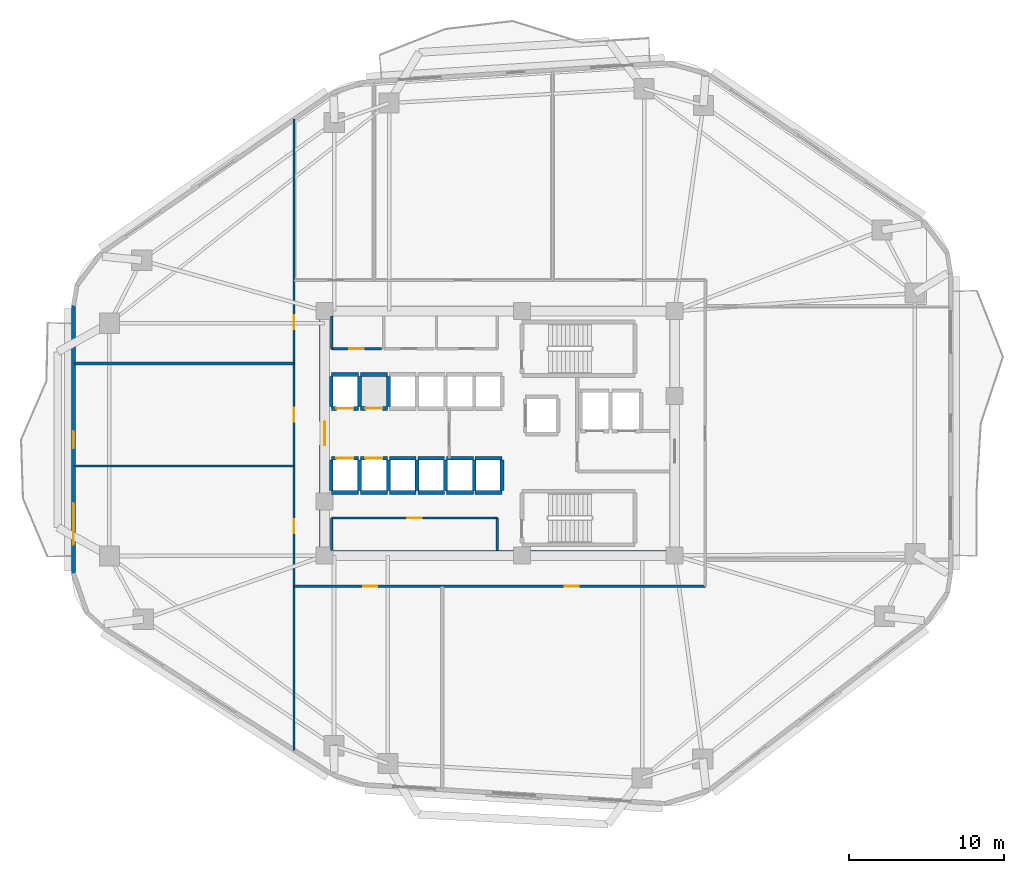
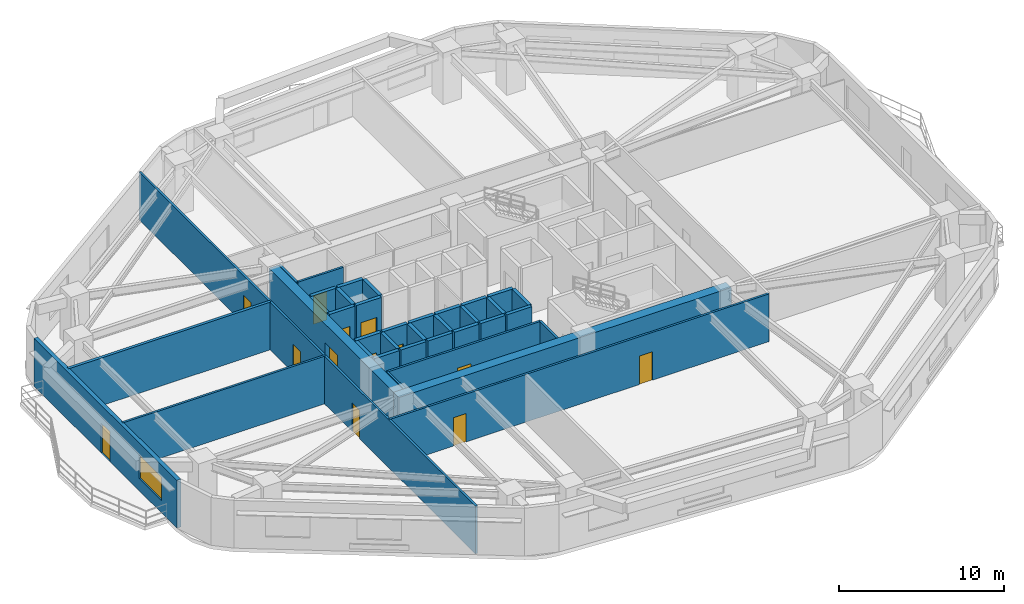
# One storey, part 3 of 10: 38 walls, 13 doors, 1 window, 14 openings.
"""IFC4 building model written with IfcOpenShell, lengths in metres."""

from ifc_helpers import new_model, si_unit, direction, frame, frame_2d, origin, place, context, subcontext, project, spatial, rectangle, extrude, material, layer, layer_set, type_object, element, fill, save


model = new_model("IFC4")

# Units and contexts
model_context = context("Model", 3, precision=1e-05, world=origin(), true_north=direction((0.0, 1.0)))
body_context = subcontext(model_context, "Body", "Model", "MODEL_VIEW")
ifc_project = project(units=[si_unit("LENGTHUNIT", "METRE"), si_unit("AREAUNIT", "SQUARE_METRE"), si_unit("VOLUMEUNIT", "CUBIC_METRE"), si_unit("PLANEANGLEUNIT", "RADIAN"), si_unit("MASSUNIT", "GRAM", prefix="KILO")], contexts=[model_context])

# Site, building, storey
site_placement = place(None, origin())
site = spatial("IfcSite", under=ifc_project, at=site_placement, CompositionType="ELEMENT")
building_placement = place(site_placement, origin())
building = spatial("IfcBuilding", under=site, at=building_placement, Name="Zulverin Broadcast Headquarters", CompositionType="ELEMENT")
storey_placement = place(building_placement, frame((0.0, 0.0, 36.39990234375)))
storey = spatial("IfcBuildingStorey", under=building, at=storey_placement, Name="L08", CompositionType="ELEMENT", Elevation=36.39990234375)

# Walls
ifc_material_1 = material(Name="Acoustic drywall steel stud", Category="steel")
ifc_layer_1 = layer(ifc_material_1, 0.199951171875, Name="Acoustic drywall steel stud", Category="steel")
ifc_layer_set_1 = layer_set([ifc_layer_1], Name="Acoustic drywall steel stud")
wall_type_1 = type_object("IfcWallType", Name="WL-ACOU-200", PredefinedType="PARTITIONING", material=ifc_layer_set_1)
wall_1_placement = place(storey_placement, frame((9.60498046875, 29.699951171875, 0.0), z_axis=(0.0, 0.0, 1.0), x_axis=(1.0, 0.0, 0.0)))
element("IfcWall", 1, at=wall_1_placement, inside=storey, type_object=wall_type_1, Name="L08 Room Partition Wall RP-09", PredefinedType="PARTITIONING", context=body_context, shape_type="SweptSolid", body=[
    extrude(rectangle(XDim=14.14501953125, YDim=0.199951171875, at=frame_2d((7.072509765625, 0.0))), origin(), (0.0, 0.0, 1.0), 3.525146484375),
])
ifc_material_2 = material(Name="Concrete C60/75", Category="concrete")
ifc_layer_2 = layer(ifc_material_2, 0.64990234375, Name="Concrete C60/75", Category="concrete")
ifc_layer_set_2 = layer_set([ifc_layer_2], Name="Concrete C60/75")
wall_type_2 = type_object("IfcWallType", Name="WL-CORE-650", PredefinedType="SHEAR", material=ifc_layer_set_2)
wall_2_placement = place(storey_placement, frame((25.39990234375, 17.324951171875, 0.0), z_axis=(0.0, 0.0, 1.0), x_axis=(1.0, 0.0, 0.0)))
element("IfcWall", 2, at=wall_2_placement, inside=storey, type_object=wall_type_2, Name="L08 Core South Shear Wall", PredefinedType="SHEAR", context=body_context, shape_type="SweptSolid", body=[
    extrude(rectangle(XDim=23.2001953125, YDim=0.64990234375, at=frame_2d((11.60009765625, 0.0))), origin(), (0.0, 0.0, 1.0), 3.525146484375),
])

# Wall, opening, door
wall_3_placement = place(storey_placement, frame((25.72509765625, 17.64990234375, 0.0), z_axis=(0.0, 0.0, 1.0), x_axis=(0.0, 1.0, 0.0)))
wall_3 = element("IfcWall", 3, at=wall_3_placement, inside=storey, type_object=wall_type_2, Name="L08 Core West Shear Wall", PredefinedType="SHEAR", context=body_context, shape_type="SweptSolid", body=[
    extrude(rectangle(XDim=15.10009765625, YDim=0.64990234375, at=frame_2d((7.550048828125, 0.0))), origin(), (0.0, 0.0, 1.0), 3.525146484375),
])
opening_1_placement = place(wall_3_placement, frame((6.800048828125, 0.0, 0.0)))
opening_1 = element("IfcOpeningElement", 4, at=opening_1_placement, cuts=wall_3, Name="Opening D-L08-CW1", PredefinedType="OPENING", context=body_context, shape_type="SweptSolid", body=[
    extrude(rectangle(XDim=1.5, YDim=2.14990234375, at=frame_2d((0.75, 1.074951171875))), frame((0.0, 0.3349609375, 0.0), z_axis=(0.0, -1.0, 0.0), x_axis=(1.0, 0.0, 0.0)), (0.0, 0.0, 1.0), 0.669921875),
])
ifc_material_3 = material(Name="Fire-rated glazed steel frame", Category="steel")
door_type_1 = type_object("IfcDoorType", Name="DR-COR-1500", OperationType="DOUBLE_DOOR_SINGLE_SWING", PredefinedType="DOOR", material=ifc_material_3)
door_1_placement = place(opening_1_placement, origin())
door_1 = element("IfcDoor", 5, at=door_1_placement, inside=storey, type_object=door_type_1, Name="L08 Central Lift Lobby West Portal Door", OperationType="DOUBLE_DOOR_SINGLE_SWING", OverallHeight=2.14990234375, OverallWidth=1.5, PredefinedType="DOOR", context=body_context, shape_type="SweptSolid", body=[
    extrude(rectangle(XDim=1.5, YDim=2.14990234375, at=frame_2d((0.75, 1.074951171875))), frame((0.0, 0.02490234375, 0.0), z_axis=(0.0, -1.0, 0.0), x_axis=(1.0, 0.0, 0.0)), (0.0, 0.0, 1.0), 0.050048828125),
])
fill(opening_1, door_1)

# Wall, openings, door, window
ifc_material_4 = material(Name="Insulated pale-metal clad concrete spandrel C40/50", Category="concrete")
ifc_layer_3 = layer(ifc_material_4, 0.280029296875, Name="Insulated pale-metal clad concrete spandrel C40/50", Category="concrete")
ifc_layer_set_3 = layer_set([ifc_layer_3], Name="Insulated pale-metal clad concrete spandrel C40/50")
wall_type_3 = type_object("IfcWallType", Name="WL-EXT-280", PredefinedType="STANDARD", material=ifc_layer_set_3)
wall_4_placement = place(storey_placement, frame((9.5400390625, 33.4443359375, 0.0), z_axis=(0.0, 0.0, 1.0), x_axis=(0.0, -1.0, 0.0)))
wall_4 = element("IfcWall", 6, at=wall_4_placement, inside=storey, type_object=wall_type_3, Name="L08 Pale-Metal Clad Spandrel Wall 7", PredefinedType="STANDARD", context=body_context, shape_type="SweptSolid", body=[
    extrude(rectangle(XDim=17.30078125, YDim=0.280029296875, at=frame_2d((8.650390625, 0.0))), origin(), (0.0, 0.0, 1.0), 3.525146484375),
])
opening_2_placement = place(wall_4_placement, frame((8.100341796875, 0.0, 0.0)))
opening_2 = element("IfcOpeningElement", 7, at=opening_2_placement, cuts=wall_4, Name="Opening D-L08-TR7", PredefinedType="OPENING", context=body_context, shape_type="SweptSolid", body=[
    extrude(rectangle(XDim=1.10009765625, YDim=2.199951171875, at=frame_2d((0.550048828125, 1.10009765625))), frame((0.0, 0.14990234375, 0.0), z_axis=(0.0, -1.0, 0.0), x_axis=(1.0, 0.0, 0.0)), (0.0, 0.0, 1.0), 0.300048828125),
])
opening_3_placement = place(wall_4_placement, frame((12.73388671875, 0.0, 0.89990234375)))
opening_3 = element("IfcOpeningElement", 8, at=opening_3_placement, cuts=wall_4, Name="Opening W-L08-E71", PredefinedType="OPENING", context=body_context, shape_type="SweptSolid", body=[
    extrude(rectangle(XDim=2.699951171875, YDim=1.75, at=frame_2d((1.35009765625, 0.875))), frame((0.0, 0.14990234375, 0.0), z_axis=(0.0, -1.0, 0.0), x_axis=(1.0, 0.0, 0.0)), (0.0, 0.0, 1.0), 0.300048828125),
])
ifc_material_5 = material(Name="Thermally broken aluminium glazed", Category="aluminium")
door_type_2 = type_object("IfcDoorType", Name="DR-TERR-1100", OperationType="SINGLE_SWING_RIGHT", PredefinedType="DOOR", material=ifc_material_5)
door_2_placement = place(opening_2_placement, origin())
door_2 = element("IfcDoor", 9, at=door_2_placement, inside=storey, type_object=door_type_2, Name="L08 Planted Terrace Glazed Access Door 7", OperationType="SINGLE_SWING_RIGHT", OverallHeight=2.199951171875, OverallWidth=1.10009765625, PredefinedType="DOOR", context=body_context, shape_type="SweptSolid", body=[
    extrude(rectangle(XDim=1.10009765625, YDim=2.199951171875, at=frame_2d((0.550048828125, 1.10009765625))), frame((0.0, 0.02490234375, 0.0), z_axis=(0.0, -1.0, 0.0), x_axis=(1.0, 0.0, 0.0)), (0.0, 0.0, 1.0), 0.050048828125),
])
fill(opening_2, door_2)
ifc_material_6 = material(Name="Pale anodized aluminium frame with solar-control low-E double glazing", Category="aluminium")
window_type = type_object("IfcWindowType", Name="WIN-TWR-2700", PartitioningType="SINGLE_PANEL", PredefinedType="WINDOW", material=ifc_material_6)
window_placement = place(opening_3_placement, origin())
window = element("IfcWindow", 10, at=window_placement, inside=storey, type_object=window_type, Name="L08 Ribbon Glazing Window 7 1", OverallHeight=1.75, OverallWidth=2.699951171875, PartitioningType="SINGLE_PANEL", PredefinedType="WINDOW", context=body_context, shape_type="SweptSolid", body=[
    extrude(rectangle(XDim=2.699951171875, YDim=1.75, at=frame_2d((1.35009765625, 0.875))), frame((0.0, 0.030029296875, 0.0), z_axis=(0.0, -1.0, 0.0), x_axis=(1.0, 0.0, 0.0)), (0.0, 0.0, 1.0), 0.06005859375),
])
fill(opening_3, window)

# Wall, opening, door
ifc_material_7 = material(Name="Fire-rated gypsum stud partition", Category="gypsum")
ifc_layer_4 = layer(ifc_material_7, 0.14990234375, Name="Fire-rated gypsum stud partition", Category="gypsum")
ifc_layer_set_4 = layer_set([ifc_layer_4], Name="Fire-rated gypsum stud partition")
wall_type_4 = type_object("IfcWallType", Name="WL-PART-150", PredefinedType="PARTITIONING", material=ifc_layer_set_4)
wall_5_placement = place(storey_placement, frame((26.169921875, 30.64990234375, 0.0), z_axis=(0.0, 0.0, 1.0), x_axis=(1.0, 0.0, 0.0)))
wall_5 = element("IfcWall", 11, at=wall_5_placement, inside=storey, type_object=wall_type_4, Name="L08 Core Accessible WC Front Wall", PredefinedType="PARTITIONING", context=body_context, shape_type="SweptSolid", body=[
    extrude(rectangle(XDim=3.2001953125, YDim=0.14990234375, at=frame_2d((1.60009765625, 0.0))), origin(), (0.0, 0.0, 1.0), 3.525146484375),
])
opening_4_placement = place(wall_5_placement, frame((1.125, 0.0, 0.0)))
opening_4 = element("IfcOpeningElement", 12, at=opening_4_placement, cuts=wall_5, Name="Opening D-L08-NC1", PredefinedType="OPENING", context=body_context, shape_type="SweptSolid", body=[
    extrude(rectangle(XDim=0.949951171875, YDim=2.10009765625, at=frame_2d((0.47509765625, 1.050048828125))), frame((0.0, 0.0849609375, 0.0), z_axis=(0.0, -1.0, 0.0), x_axis=(1.0, 0.0, 0.0)), (0.0, 0.0, 1.0), 0.169921875),
])
ifc_material_8 = material(Name="Fire-rated moisture-resistant laminate leaf", Category="wood")
door_type_3 = type_object("IfcDoorType", Name="DR-WC-950", OperationType="SINGLE_SWING_LEFT", PredefinedType="DOOR", material=ifc_material_8)
door_3_placement = place(opening_4_placement, origin())
door_3 = element("IfcDoor", 13, at=door_3_placement, inside=storey, type_object=door_type_3, Name="L08 Accessible WC Door", OperationType="SINGLE_SWING_LEFT", OverallHeight=2.10009765625, OverallWidth=0.949951171875, PredefinedType="DOOR", context=body_context, shape_type="SweptSolid", body=[
    extrude(rectangle(XDim=0.949951171875, YDim=2.10009765625, at=frame_2d((0.47509765625, 1.050048828125))), frame((0.0, 0.02490234375, 0.0), z_axis=(0.0, -1.0, 0.0), x_axis=(1.0, 0.0, 0.0)), (0.0, 0.0, 1.0), 0.050048828125),
])
fill(opening_4, door_3)

# Wall
wall_6_placement = place(storey_placement, frame((26.169921875, 30.64990234375, 0.0), z_axis=(0.0, 0.0, 1.0), x_axis=(0.0, 1.0, 0.0)))
element("IfcWall", 14, at=wall_6_placement, inside=storey, type_object=wall_type_4, Name="L08 Core Accessible WC West Wall", PredefinedType="PARTITIONING", context=body_context, shape_type="SweptSolid", body=[
    extrude(rectangle(XDim=2.10009765625, YDim=0.14990234375, at=frame_2d((1.050048828125, 0.0))), origin(), (0.0, 0.0, 1.0), 3.525146484375),
])

# Wall, opening, door
wall_7_placement = place(storey_placement, frame((26.169921875, 19.75, 0.0), z_axis=(0.0, 0.0, 1.0), x_axis=(1.0, 0.0, 0.0)))
wall_7 = element("IfcWall", 15, at=wall_7_placement, inside=storey, type_object=wall_type_4, Name="L08 Core Female WC & Facilities Room Front Wall", PredefinedType="PARTITIONING", context=body_context, shape_type="SweptSolid", body=[
    extrude(rectangle(XDim=10.68017578125, YDim=0.14990234375, at=frame_2d((5.340087890625, 0.0))), origin(), (0.0, 0.0, 1.0), 3.525146484375),
])
opening_5_placement = place(wall_7_placement, frame((4.864990234375, 0.0, 0.0)))
opening_5 = element("IfcOpeningElement", 16, at=opening_5_placement, cuts=wall_7, Name="Opening D-L08-SC1", PredefinedType="OPENING", context=body_context, shape_type="SweptSolid", body=[
    extrude(rectangle(XDim=0.949951171875, YDim=2.10009765625, at=frame_2d((0.47509765625, 1.050048828125))), frame((0.0, 0.0849609375, 0.0), z_axis=(0.0, -1.0, 0.0), x_axis=(1.0, 0.0, 0.0)), (0.0, 0.0, 1.0), 0.169921875),
])
door_4_placement = place(opening_5_placement, origin())
door_4 = element("IfcDoor", 17, at=door_4_placement, inside=storey, type_object=door_type_3, Name="L08 Female WC & Facilities Room Door", OperationType="SINGLE_SWING_RIGHT", OverallHeight=2.10009765625, OverallWidth=0.949951171875, PredefinedType="DOOR", context=body_context, shape_type="SweptSolid", body=[
    extrude(rectangle(XDim=0.949951171875, YDim=2.10009765625, at=frame_2d((0.47509765625, 1.050048828125))), frame((0.0, 0.02490234375, 0.0), z_axis=(0.0, -1.0, 0.0), x_axis=(1.0, 0.0, 0.0)), (0.0, 0.0, 1.0), 0.050048828125),
])
fill(opening_5, door_4)

# Walls
for number, where, z_axis, x_axis, name in (
    (18, (26.169921875, 17.64990234375, 0.0), (0.0, 0.0, 1.0), (0.0, 1.0, 0.0), "L08 Core Female WC & Facilities Room West Wall"),
    (19, (36.85009765625, 17.64990234375, 0.0), (0.0, 0.0, 1.0), (0.0, 1.0, 0.0), "L08 Core Female WC & Facilities Room East Wall"),
):
    element("IfcWall", number, at=place(storey_placement, frame(where, z_axis=z_axis, x_axis=x_axis)), inside=storey, type_object=wall_type_4, Name=name, PredefinedType="PARTITIONING", context=body_context, shape_type="SweptSolid", body=[
        extrude(rectangle(XDim=2.10009765625, YDim=0.14990234375, at=frame_2d((1.050048828125, 0.0))), origin(), (0.0, 0.0, 1.0), 3.525146484375),
    ])

# Wall, openings, doors
wall_8_placement = place(storey_placement, frame((23.75, 4.769287109375, 0.0), z_axis=(0.0, 0.0, 1.0), x_axis=(0.0, 1.0, 0.0)))
wall_8 = element("IfcWall", 20, at=wall_8_placement, inside=storey, type_object=wall_type_4, Name="L08 Gallery Partition Wall CG-05", PredefinedType="PARTITIONING", context=body_context, shape_type="SweptSolid", body=[
    extrude(rectangle(XDim=40.69091796875, YDim=0.14990234375, at=frame_2d((20.345458984375, 0.0))), origin(), (0.0, 0.0, 1.0), 3.525146484375),
])
opening_6_placement = place(wall_8_placement, frame((14.005615234375, 0.0, 0.0)))
opening_6 = element("IfcOpeningElement", 21, at=opening_6_placement, cuts=wall_8, Name="Opening D-L08-06", PredefinedType="OPENING", context=body_context, shape_type="SweptSolid", body=[
    extrude(rectangle(XDim=0.89990234375, YDim=2.10009765625, at=frame_2d((0.449951171875, 1.050048828125))), frame((0.0, 0.0849609375, 0.0), z_axis=(0.0, -1.0, 0.0), x_axis=(1.0, 0.0, 0.0)), (0.0, 0.0, 1.0), 0.169921875),
])
opening_7_placement = place(wall_8_placement, frame((21.1806640625, 0.0, 0.0)))
opening_7 = element("IfcOpeningElement", 22, at=opening_7_placement, cuts=wall_8, Name="Opening D-L08-07", PredefinedType="OPENING", context=body_context, shape_type="SweptSolid", body=[
    extrude(rectangle(XDim=0.89990234375, YDim=2.10009765625, at=frame_2d((0.449951171875, 1.050048828125))), frame((0.0, 0.0849609375, 0.0), z_axis=(0.0, -1.0, 0.0), x_axis=(1.0, 0.0, 0.0)), (0.0, 0.0, 1.0), 0.169921875),
])
opening_8_placement = place(wall_8_placement, frame((27.155517578125, 0.0, 0.0)))
opening_8 = element("IfcOpeningElement", 23, at=opening_8_placement, cuts=wall_8, Name="Opening D-L08-08", PredefinedType="OPENING", context=body_context, shape_type="SweptSolid", body=[
    extrude(rectangle(XDim=0.89990234375, YDim=2.10009765625, at=frame_2d((0.449951171875, 1.050048828125))), frame((0.0, 0.0849609375, 0.0), z_axis=(0.0, -1.0, 0.0), x_axis=(1.0, 0.0, 0.0)), (0.0, 0.0, 1.0), 0.169921875),
])
ifc_material_9 = material(Name="Fire-rated hardwood veneer timber leaf", Category="wood")
door_type_4 = type_object("IfcDoorType", Name="DR-ROOM-900", OperationType="SINGLE_SWING_RIGHT", PredefinedType="DOOR", material=ifc_material_9)
door_5_placement = place(opening_6_placement, origin())
door_5 = element("IfcDoor", 24, at=door_5_placement, inside=storey, type_object=door_type_4, Name="L08 Reference Library Door", OperationType="SINGLE_SWING_LEFT", OverallHeight=2.10009765625, OverallWidth=0.89990234375, PredefinedType="DOOR", context=body_context, shape_type="SweptSolid", body=[
    extrude(rectangle(XDim=0.89990234375, YDim=2.10009765625, at=frame_2d((0.449951171875, 1.050048828125))), frame((0.0, 0.02490234375, 0.0), z_axis=(0.0, -1.0, 0.0), x_axis=(1.0, 0.0, 0.0)), (0.0, 0.0, 1.0), 0.050048828125),
])
fill(opening_6, door_5)
door_6_placement = place(opening_7_placement, origin())
door_6 = element("IfcDoor", 25, at=door_6_placement, inside=storey, type_object=door_type_4, Name="L08 Staff Bistro Door", OperationType="SINGLE_SWING_RIGHT", OverallHeight=2.10009765625, OverallWidth=0.89990234375, PredefinedType="DOOR", context=body_context, shape_type="SweptSolid", body=[
    extrude(rectangle(XDim=0.89990234375, YDim=2.10009765625, at=frame_2d((0.449951171875, 1.050048828125))), frame((0.0, 0.02490234375, 0.0), z_axis=(0.0, -1.0, 0.0), x_axis=(1.0, 0.0, 0.0)), (0.0, 0.0, 1.0), 0.050048828125),
])
fill(opening_7, door_6)
door_7_placement = place(opening_8_placement, origin())
door_7 = element("IfcDoor", 26, at=door_7_placement, inside=storey, type_object=door_type_4, Name="L08 Tea Servery Door", OperationType="SINGLE_SWING_LEFT", OverallHeight=2.10009765625, OverallWidth=0.89990234375, PredefinedType="DOOR", context=body_context, shape_type="SweptSolid", body=[
    extrude(rectangle(XDim=0.89990234375, YDim=2.10009765625, at=frame_2d((0.449951171875, 1.050048828125))), frame((0.0, 0.02490234375, 0.0), z_axis=(0.0, -1.0, 0.0), x_axis=(1.0, 0.0, 0.0)), (0.0, 0.0, 1.0), 0.050048828125),
])
fill(opening_8, door_7)

wall_9_placement = place(storey_placement, frame((23.75, 15.35009765625, 0.0), z_axis=(0.0, 0.0, 1.0), x_axis=(1.0, 0.0, 0.0)))
wall_9 = element("IfcWall", 27, at=wall_9_placement, inside=storey, type_object=wall_type_4, Name="L08 Gallery Partition Wall CG-06", PredefinedType="PARTITIONING", context=body_context, shape_type="SweptSolid", body=[
    extrude(rectangle(XDim=26.5, YDim=0.14990234375, at=frame_2d((13.25, 0.0))), origin(), (0.0, 0.0, 1.0), 3.525146484375),
])
opening_9_placement = place(wall_9_placement, frame((4.445068359375, 0.0, 0.0)))
opening_9 = element("IfcOpeningElement", 28, at=opening_9_placement, cuts=wall_9, Name="Opening D-L08-04", PredefinedType="OPENING", context=body_context, shape_type="SweptSolid", body=[
    extrude(rectangle(XDim=0.89990234375, YDim=2.10009765625, at=frame_2d((0.449951171875, 1.050048828125))), frame((0.0, 0.0849609375, 0.0), z_axis=(0.0, -1.0, 0.0), x_axis=(1.0, 0.0, 0.0)), (0.0, 0.0, 1.0), 0.169921875),
])
opening_10_placement = place(wall_9_placement, frame((17.455078125, 0.0, 0.0)))
opening_10 = element("IfcOpeningElement", 29, at=opening_10_placement, cuts=wall_9, Name="Opening D-L08-05", PredefinedType="OPENING", context=body_context, shape_type="SweptSolid", body=[
    extrude(rectangle(XDim=0.89990234375, YDim=2.10009765625, at=frame_2d((0.449951171875, 1.050048828125))), frame((0.0, 0.0849609375, 0.0), z_axis=(0.0, -1.0, 0.0), x_axis=(1.0, 0.0, 0.0)), (0.0, 0.0, 1.0), 0.169921875),
])
door_8_placement = place(opening_9_placement, origin())
door_8 = element("IfcDoor", 30, at=door_8_placement, inside=storey, type_object=door_type_4, Name="L08 Media Screening Suite Door", OperationType="SINGLE_SWING_LEFT", OverallHeight=2.10009765625, OverallWidth=0.89990234375, PredefinedType="DOOR", context=body_context, shape_type="SweptSolid", body=[
    extrude(rectangle(XDim=0.89990234375, YDim=2.10009765625, at=frame_2d((0.449951171875, 1.050048828125))), frame((0.0, 0.02490234375, 0.0), z_axis=(0.0, -1.0, 0.0), x_axis=(1.0, 0.0, 0.0)), (0.0, 0.0, 1.0), 0.050048828125),
])
fill(opening_9, door_8)
door_9_placement = place(opening_10_placement, origin())
door_9 = element("IfcDoor", 31, at=door_9_placement, inside=storey, type_object=door_type_4, Name="L08 Media Reading Library Door", OperationType="SINGLE_SWING_RIGHT", OverallHeight=2.10009765625, OverallWidth=0.89990234375, PredefinedType="DOOR", context=body_context, shape_type="SweptSolid", body=[
    extrude(rectangle(XDim=0.89990234375, YDim=2.10009765625, at=frame_2d((0.449951171875, 1.050048828125))), frame((0.0, 0.02490234375, 0.0), z_axis=(0.0, -1.0, 0.0), x_axis=(1.0, 0.0, 0.0)), (0.0, 0.0, 1.0), 0.050048828125),
])
fill(opening_10, door_9)

# Wall
wall_10_placement = place(storey_placement, frame((9.60498046875, 23.10009765625, 0.0), z_axis=(0.0, 0.0, 1.0), x_axis=(1.0, 0.0, 0.0)))
element("IfcWall", 32, at=wall_10_placement, inside=storey, type_object=wall_type_4, Name="L08 Room Partition Wall RP-08", PredefinedType="PARTITIONING", context=body_context, shape_type="SweptSolid", body=[
    extrude(rectangle(XDim=14.14404296875, YDim=0.14990234375, at=frame_2d((7.072021484375, 0.0))), origin(), (0.0, 0.0, 1.0), 3.525146484375),
])

# Wall, opening, door
ifc_material_10 = material(Name="Concrete C50/60", Category="concrete")
ifc_layer_5 = layer(ifc_material_10, 0.25, Name="Concrete C50/60", Category="concrete")
ifc_layer_set_5 = layer_set([ifc_layer_5], Name="Concrete C50/60")
wall_type_5 = type_object("IfcWallType", Name="WL-SHAFT-250", PredefinedType="SHEAR", material=ifc_layer_set_5)
wall_11_placement = place(storey_placement, frame((26.14990234375, 26.800048828125, 0.0), z_axis=(0.0, 0.0, 1.0), x_axis=(1.0, 0.0, 0.0)))
wall_11 = element("IfcWall", 33, at=wall_11_placement, inside=storey, type_object=wall_type_5, Name="L08 Lift PL-L1 Shaft Wall S", PredefinedType="SHEAR", context=body_context, shape_type="SweptSolid", body=[
    extrude(rectangle(XDim=1.75, YDim=0.25, at=frame_2d((0.875, 0.0))), origin(), (0.0, 0.0, 1.0), 3.525146484375),
])
opening_11_placement = place(wall_11_placement, frame((0.324951171875, 0.0, 0.0)))
opening_11 = element("IfcOpeningElement", 34, at=opening_11_placement, cuts=wall_11, Name="Opening LD-PL-L1-L08", PredefinedType="OPENING", context=body_context, shape_type="SweptSolid", body=[
    extrude(rectangle(XDim=1.10009765625, YDim=2.14990234375, at=frame_2d((0.550048828125, 1.074951171875))), frame((0.0, 0.135009765625, 0.0), z_axis=(0.0, -1.0, 0.0), x_axis=(1.0, 0.0, 0.0)), (0.0, 0.0, 1.0), 0.27001953125),
])
ifc_material_11 = material(Name="Brushed stainless steel landing", Category="steel")
door_type_5 = type_object("IfcDoorType", Name="LD-PASS-1100", OperationType="DOUBLE_DOOR_SLIDING", PredefinedType="DOOR", material=ifc_material_11)
door_10_placement = place(opening_11_placement, origin())
door_10 = element("IfcDoor", 35, at=door_10_placement, inside=storey, type_object=door_type_5, Name="L08 Lift PL-L1 Sliding Landing Door", OperationType="DOUBLE_DOOR_SLIDING", OverallHeight=2.14990234375, OverallWidth=1.10009765625, PredefinedType="DOOR", context=body_context, shape_type="SweptSolid", body=[
    extrude(rectangle(XDim=1.10009765625, YDim=2.14990234375, at=frame_2d((0.550048828125, 1.074951171875))), frame((0.0, 0.02490234375, 0.0), z_axis=(0.0, -1.0, 0.0), x_axis=(1.0, 0.0, 0.0)), (0.0, 0.0, 1.0), 0.050048828125),
])
fill(opening_11, door_10)

# Walls
wall_12_placement = place(storey_placement, frame((26.14990234375, 29.0, 0.0), z_axis=(0.0, 0.0, 1.0), x_axis=(1.0, 0.0, 0.0)))
element("IfcWall", 36, at=wall_12_placement, inside=storey, type_object=wall_type_5, Name="L08 Lift PL-L1 Shaft Wall N", PredefinedType="SHEAR", context=body_context, shape_type="SweptSolid", body=[
    extrude(rectangle(XDim=1.75, YDim=0.25, at=frame_2d((0.875, 0.0))), origin(), (0.0, 0.0, 1.0), 3.525146484375),
])
for number, where, z_axis, x_axis, name in (
    (37, (26.14990234375, 26.919921875, 0.0), (0.0, 0.0, 1.0), (0.0, 1.0, 0.0), "L08 Lift PL-L1 Shaft Wall W"),
    (38, (27.9599609375, 26.919921875, 0.0), (0.0, 0.0, 1.0), (0.0, 1.0, 0.0), "L08 Lift PL-L1 Shaft Wall E"),
):
    element("IfcWall", number, at=place(storey_placement, frame(where, z_axis=z_axis, x_axis=x_axis)), inside=storey, type_object=wall_type_5, Name=name, PredefinedType="SHEAR", context=body_context, shape_type="SweptSolid", body=[
        extrude(rectangle(XDim=1.9599609375, YDim=0.25, at=frame_2d((0.97998046875, 0.0))), origin(), (0.0, 0.0, 1.0), 3.525146484375),
    ])

# Wall, opening, door
wall_13_placement = place(storey_placement, frame((28.02001953125, 26.800048828125, 0.0), z_axis=(0.0, 0.0, 1.0), x_axis=(1.0, 0.0, 0.0)))
wall_13 = element("IfcWall", 39, at=wall_13_placement, inside=storey, type_object=wall_type_5, Name="L08 Lift PL-L2 Shaft Wall S", PredefinedType="SHEAR", context=body_context, shape_type="SweptSolid", body=[
    extrude(rectangle(XDim=1.75, YDim=0.25, at=frame_2d((0.875, 0.0))), origin(), (0.0, 0.0, 1.0), 3.525146484375),
])
opening_12_placement = place(wall_13_placement, frame((0.324951171875, 0.0, 0.0)))
opening_12 = element("IfcOpeningElement", 40, at=opening_12_placement, cuts=wall_13, Name="Opening LD-PL-L2-L08", PredefinedType="OPENING", context=body_context, shape_type="SweptSolid", body=[
    extrude(rectangle(XDim=1.10009765625, YDim=2.14990234375, at=frame_2d((0.550048828125, 1.074951171875))), frame((0.0, 0.135009765625, 0.0), z_axis=(0.0, -1.0, 0.0), x_axis=(1.0, 0.0, 0.0)), (0.0, 0.0, 1.0), 0.27001953125),
])
door_11_placement = place(opening_12_placement, origin())
door_11 = element("IfcDoor", 41, at=door_11_placement, inside=storey, type_object=door_type_5, Name="L08 Lift PL-L2 Sliding Landing Door", OperationType="DOUBLE_DOOR_SLIDING", OverallHeight=2.14990234375, OverallWidth=1.10009765625, PredefinedType="DOOR", context=body_context, shape_type="SweptSolid", body=[
    extrude(rectangle(XDim=1.10009765625, YDim=2.14990234375, at=frame_2d((0.550048828125, 1.074951171875))), frame((0.0, 0.02490234375, 0.0), z_axis=(0.0, -1.0, 0.0), x_axis=(1.0, 0.0, 0.0)), (0.0, 0.0, 1.0), 0.050048828125),
])
fill(opening_12, door_11)

# Walls
wall_14_placement = place(storey_placement, frame((28.02001953125, 29.0, 0.0), z_axis=(0.0, 0.0, 1.0), x_axis=(1.0, 0.0, 0.0)))
element("IfcWall", 42, at=wall_14_placement, inside=storey, type_object=wall_type_5, Name="L08 Lift PL-L2 Shaft Wall N", PredefinedType="SHEAR", context=body_context, shape_type="SweptSolid", body=[
    extrude(rectangle(XDim=1.75, YDim=0.25, at=frame_2d((0.875, 0.0))), origin(), (0.0, 0.0, 1.0), 3.525146484375),
])
wall_15_placement = place(storey_placement, frame((29.8349609375, 26.919921875, 0.0), z_axis=(0.0, 0.0, 1.0), x_axis=(0.0, 1.0, 0.0)))
element("IfcWall", 43, at=wall_15_placement, inside=storey, type_object=wall_type_5, Name="L08 Lift PL-L2 Shaft Wall E", PredefinedType="SHEAR", context=body_context, shape_type="SweptSolid", body=[
    extrude(rectangle(XDim=1.9599609375, YDim=0.25, at=frame_2d((0.97998046875, 0.0))), origin(), (0.0, 0.0, 1.0), 3.525146484375),
])
wall_16_placement = place(storey_placement, frame((26.14990234375, 21.39990234375, 0.0), z_axis=(0.0, 0.0, 1.0), x_axis=(1.0, 0.0, 0.0)))
element("IfcWall", 44, at=wall_16_placement, inside=storey, type_object=wall_type_5, Name="L08 Lift PL-L3 Shaft Wall S", PredefinedType="SHEAR", context=body_context, shape_type="SweptSolid", body=[
    extrude(rectangle(XDim=1.75, YDim=0.25, at=frame_2d((0.875, 0.0))), origin(), (0.0, 0.0, 1.0), 3.525146484375),
])

# Wall, opening, door
wall_17_placement = place(storey_placement, frame((26.14990234375, 23.60009765625, 0.0), z_axis=(0.0, 0.0, 1.0), x_axis=(1.0, 0.0, 0.0)))
wall_17 = element("IfcWall", 45, at=wall_17_placement, inside=storey, type_object=wall_type_5, Name="L08 Lift PL-L3 Shaft Wall N", PredefinedType="SHEAR", context=body_context, shape_type="SweptSolid", body=[
    extrude(rectangle(XDim=1.75, YDim=0.25, at=frame_2d((0.875, 0.0))), origin(), (0.0, 0.0, 1.0), 3.525146484375),
])
opening_13_placement = place(wall_17_placement, frame((0.324951171875, 0.0, 0.0)))
opening_13 = element("IfcOpeningElement", 46, at=opening_13_placement, cuts=wall_17, Name="Opening LD-PL-L3-L08", PredefinedType="OPENING", context=body_context, shape_type="SweptSolid", body=[
    extrude(rectangle(XDim=1.10009765625, YDim=2.14990234375, at=frame_2d((0.550048828125, 1.074951171875))), frame((0.0, 0.135009765625, 0.0), z_axis=(0.0, -1.0, 0.0), x_axis=(1.0, 0.0, 0.0)), (0.0, 0.0, 1.0), 0.27001953125),
])
door_12_placement = place(opening_13_placement, origin())
door_12 = element("IfcDoor", 47, at=door_12_placement, inside=storey, type_object=door_type_5, Name="L08 Lift PL-L3 Sliding Landing Door", OperationType="DOUBLE_DOOR_SLIDING", OverallHeight=2.14990234375, OverallWidth=1.10009765625, PredefinedType="DOOR", context=body_context, shape_type="SweptSolid", body=[
    extrude(rectangle(XDim=1.10009765625, YDim=2.14990234375, at=frame_2d((0.550048828125, 1.074951171875))), frame((0.0, 0.02490234375, 0.0), z_axis=(0.0, -1.0, 0.0), x_axis=(1.0, 0.0, 0.0)), (0.0, 0.0, 1.0), 0.050048828125),
])
fill(opening_13, door_12)

# Walls
for number, where, z_axis, x_axis, name in (
    (48, (26.14990234375, 21.52001953125, 0.0), (0.0, 0.0, 1.0), (0.0, 1.0, 0.0), "L08 Lift PL-L3 Shaft Wall W"),
    (49, (27.9599609375, 21.52001953125, 0.0), (0.0, 0.0, 1.0), (0.0, 1.0, 0.0), "L08 Lift PL-L3 Shaft Wall E"),
):
    element("IfcWall", number, at=place(storey_placement, frame(where, z_axis=z_axis, x_axis=x_axis)), inside=storey, type_object=wall_type_5, Name=name, PredefinedType="SHEAR", context=body_context, shape_type="SweptSolid", body=[
        extrude(rectangle(XDim=1.9599609375, YDim=0.25, at=frame_2d((0.97998046875, 0.0))), origin(), (0.0, 0.0, 1.0), 3.525146484375),
    ])
wall_18_placement = place(storey_placement, frame((28.02001953125, 21.39990234375, 0.0), z_axis=(0.0, 0.0, 1.0), x_axis=(1.0, 0.0, 0.0)))
element("IfcWall", 50, at=wall_18_placement, inside=storey, type_object=wall_type_5, Name="L08 Lift PL-L4 Shaft Wall S", PredefinedType="SHEAR", context=body_context, shape_type="SweptSolid", body=[
    extrude(rectangle(XDim=1.75, YDim=0.25, at=frame_2d((0.875, 0.0))), origin(), (0.0, 0.0, 1.0), 3.525146484375),
])

# Wall, opening, door
wall_19_placement = place(storey_placement, frame((28.02001953125, 23.60009765625, 0.0), z_axis=(0.0, 0.0, 1.0), x_axis=(1.0, 0.0, 0.0)))
wall_19 = element("IfcWall", 51, at=wall_19_placement, inside=storey, type_object=wall_type_5, Name="L08 Lift PL-L4 Shaft Wall N", PredefinedType="SHEAR", context=body_context, shape_type="SweptSolid", body=[
    extrude(rectangle(XDim=1.75, YDim=0.25, at=frame_2d((0.875, 0.0))), origin(), (0.0, 0.0, 1.0), 3.525146484375),
])
opening_14_placement = place(wall_19_placement, frame((0.324951171875, 0.0, 0.0)))
opening_14 = element("IfcOpeningElement", 52, at=opening_14_placement, cuts=wall_19, Name="Opening LD-PL-L4-L08", PredefinedType="OPENING", context=body_context, shape_type="SweptSolid", body=[
    extrude(rectangle(XDim=1.10009765625, YDim=2.14990234375, at=frame_2d((0.550048828125, 1.074951171875))), frame((0.0, 0.135009765625, 0.0), z_axis=(0.0, -1.0, 0.0), x_axis=(1.0, 0.0, 0.0)), (0.0, 0.0, 1.0), 0.27001953125),
])
door_13_placement = place(opening_14_placement, origin())
door_13 = element("IfcDoor", 53, at=door_13_placement, inside=storey, type_object=door_type_5, Name="L08 Lift PL-L4 Sliding Landing Door", OperationType="DOUBLE_DOOR_SLIDING", OverallHeight=2.14990234375, OverallWidth=1.10009765625, PredefinedType="DOOR", context=body_context, shape_type="SweptSolid", body=[
    extrude(rectangle(XDim=1.10009765625, YDim=2.14990234375, at=frame_2d((0.550048828125, 1.074951171875))), frame((0.0, 0.02490234375, 0.0), z_axis=(0.0, -1.0, 0.0), x_axis=(1.0, 0.0, 0.0)), (0.0, 0.0, 1.0), 0.050048828125),
])
fill(opening_14, door_13)

# Walls
wall_20_placement = place(storey_placement, frame((29.8349609375, 21.52001953125, 0.0), z_axis=(0.0, 0.0, 1.0), x_axis=(0.0, 1.0, 0.0)))
element("IfcWall", 54, at=wall_20_placement, inside=storey, type_object=wall_type_5, Name="L08 Lift PL-L4 Shaft Wall E", PredefinedType="SHEAR", context=body_context, shape_type="SweptSolid", body=[
    extrude(rectangle(XDim=1.9599609375, YDim=0.25, at=frame_2d((0.97998046875, 0.0))), origin(), (0.0, 0.0, 1.0), 3.525146484375),
])
for number, where, z_axis, x_axis, name in (
    (55, (29.89990234375, 21.39990234375, 0.0), (0.0, 0.0, 1.0), (1.0, 0.0, 0.0), "L08 Lift PL-M1 Shaft Wall S"),
    (56, (29.89990234375, 23.60009765625, 0.0), (0.0, 0.0, 1.0), (1.0, 0.0, 0.0), "L08 Lift PL-M1 Shaft Wall N"),
):
    element("IfcWall", number, at=place(storey_placement, frame(where, z_axis=z_axis, x_axis=x_axis)), inside=storey, type_object=wall_type_5, Name=name, PredefinedType="SHEAR", context=body_context, shape_type="SweptSolid", body=[
        extrude(rectangle(XDim=1.72021484375, YDim=0.25, at=frame_2d((0.860107421875, 0.0))), origin(), (0.0, 0.0, 1.0), 3.525146484375),
    ])
wall_21_placement = place(storey_placement, frame((31.679931640625, 21.52001953125, 0.0), z_axis=(0.0, 0.0, 1.0), x_axis=(0.0, 1.0, 0.0)))
element("IfcWall", 57, at=wall_21_placement, inside=storey, type_object=wall_type_5, Name="L08 Lift PL-M1 Shaft Wall E", PredefinedType="SHEAR", context=body_context, shape_type="SweptSolid", body=[
    extrude(rectangle(XDim=1.9599609375, YDim=0.25, at=frame_2d((0.97998046875, 0.0))), origin(), (0.0, 0.0, 1.0), 3.525146484375),
])
for number, where, z_axis, x_axis, name in (
    (58, (31.739990234375, 21.39990234375, 0.0), (0.0, 0.0, 1.0), (1.0, 0.0, 0.0), "L08 Lift PL-M2 Shaft Wall S"),
    (59, (31.739990234375, 23.60009765625, 0.0), (0.0, 0.0, 1.0), (1.0, 0.0, 0.0), "L08 Lift PL-M2 Shaft Wall N"),
):
    element("IfcWall", number, at=place(storey_placement, frame(where, z_axis=z_axis, x_axis=x_axis)), inside=storey, type_object=wall_type_5, Name=name, PredefinedType="SHEAR", context=body_context, shape_type="SweptSolid", body=[
        extrude(rectangle(XDim=1.719970703125, YDim=0.25, at=frame_2d((0.85986328125, 0.0))), origin(), (0.0, 0.0, 1.0), 3.525146484375),
    ])
wall_22_placement = place(storey_placement, frame((33.52001953125, 21.52001953125, 0.0), z_axis=(0.0, 0.0, 1.0), x_axis=(0.0, 1.0, 0.0)))
element("IfcWall", 60, at=wall_22_placement, inside=storey, type_object=wall_type_5, Name="L08 Lift PL-M2 Shaft Wall E", PredefinedType="SHEAR", context=body_context, shape_type="SweptSolid", body=[
    extrude(rectangle(XDim=1.9599609375, YDim=0.25, at=frame_2d((0.97998046875, 0.0))), origin(), (0.0, 0.0, 1.0), 3.525146484375),
])
for number, where, z_axis, x_axis, name in (
    (61, (33.580078125, 21.39990234375, 0.0), (0.0, 0.0, 1.0), (1.0, 0.0, 0.0), "L08 Lift PL-M3 Shaft Wall S"),
    (62, (33.580078125, 23.60009765625, 0.0), (0.0, 0.0, 1.0), (1.0, 0.0, 0.0), "L08 Lift PL-M3 Shaft Wall N"),
):
    element("IfcWall", number, at=place(storey_placement, frame(where, z_axis=z_axis, x_axis=x_axis)), inside=storey, type_object=wall_type_5, Name=name, PredefinedType="SHEAR", context=body_context, shape_type="SweptSolid", body=[
        extrude(rectangle(XDim=1.719970703125, YDim=0.25, at=frame_2d((0.85986328125, 0.0))), origin(), (0.0, 0.0, 1.0), 3.525146484375),
    ])
wall_23_placement = place(storey_placement, frame((35.360107421875, 21.52001953125, 0.0), z_axis=(0.0, 0.0, 1.0), x_axis=(0.0, 1.0, 0.0)))
element("IfcWall", 63, at=wall_23_placement, inside=storey, type_object=wall_type_5, Name="L08 Lift PL-M3 Shaft Wall E", PredefinedType="SHEAR", context=body_context, shape_type="SweptSolid", body=[
    extrude(rectangle(XDim=1.9599609375, YDim=0.25, at=frame_2d((0.97998046875, 0.0))), origin(), (0.0, 0.0, 1.0), 3.525146484375),
])
for number, where, z_axis, x_axis, name in (
    (64, (35.419921875, 21.39990234375, 0.0), (0.0, 0.0, 1.0), (1.0, 0.0, 0.0), "L08 Lift PL-M4 Shaft Wall S"),
    (65, (35.419921875, 23.60009765625, 0.0), (0.0, 0.0, 1.0), (1.0, 0.0, 0.0), "L08 Lift PL-M4 Shaft Wall N"),
):
    element("IfcWall", number, at=place(storey_placement, frame(where, z_axis=z_axis, x_axis=x_axis)), inside=storey, type_object=wall_type_5, Name=name, PredefinedType="SHEAR", context=body_context, shape_type="SweptSolid", body=[
        extrude(rectangle(XDim=1.719970703125, YDim=0.25, at=frame_2d((0.85986328125, 0.0))), origin(), (0.0, 0.0, 1.0), 3.525146484375),
    ])
wall_24_placement = place(storey_placement, frame((37.139892578125, 21.52001953125, 0.0), z_axis=(0.0, 0.0, 1.0), x_axis=(0.0, 1.0, 0.0)))
element("IfcWall", 66, at=wall_24_placement, inside=storey, type_object=wall_type_5, Name="L08 Lift PL-M4 Shaft Wall E", PredefinedType="SHEAR", context=body_context, shape_type="SweptSolid", body=[
    extrude(rectangle(XDim=1.9599609375, YDim=0.25, at=frame_2d((0.97998046875, 0.0))), origin(), (0.0, 0.0, 1.0), 3.525146484375),
])

save(model, "model.ifc")
